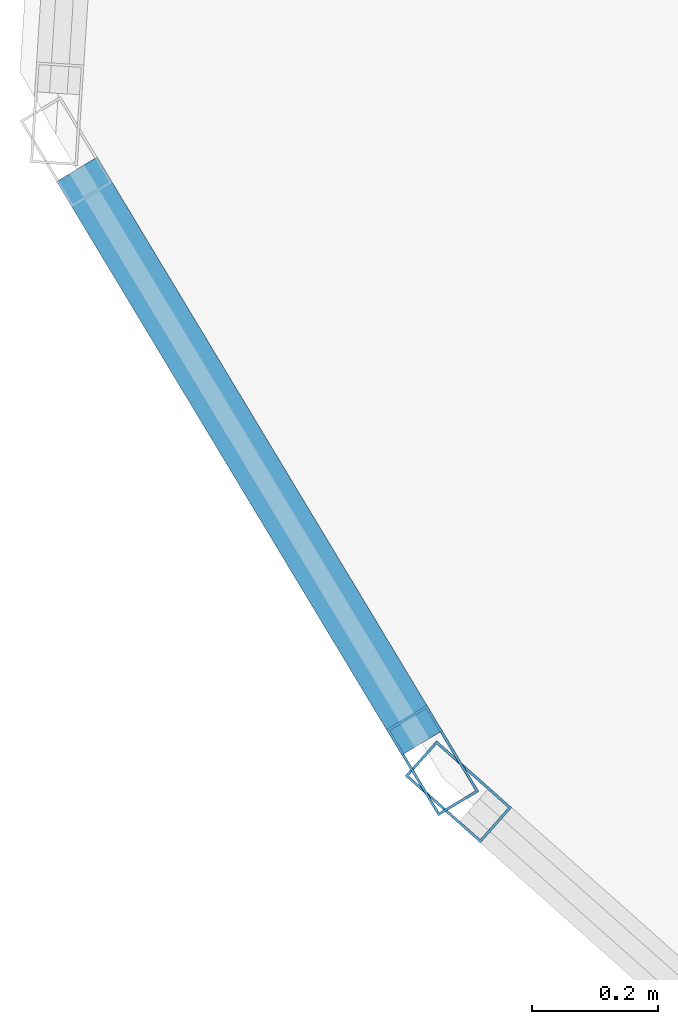
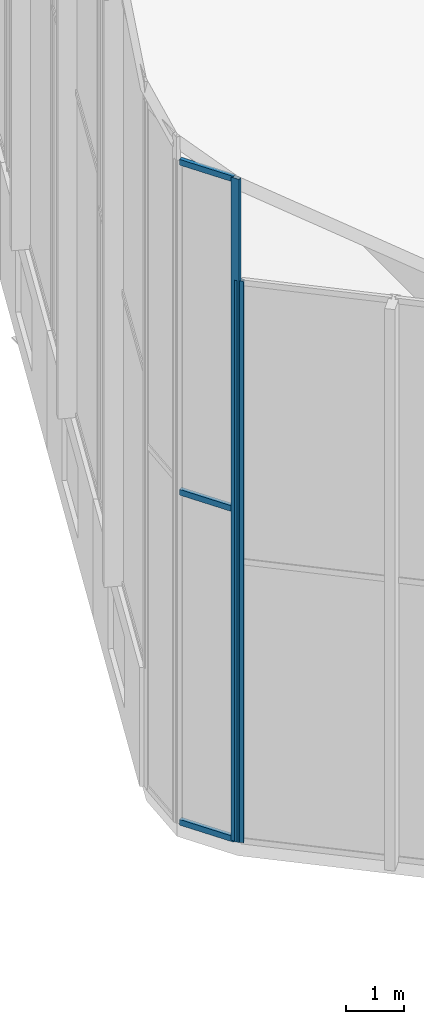
# One storey, part 6 of 74: 5 members, 2 elements without a shape of their own.
"""IFC4 building model written with IfcOpenShell, lengths in metres."""

from ifc_helpers import new_model, si_unit, direction, frame, origin, origin_2d, place, context, subcontext, project, spatial, hollow_rectangle, extrude, material, layer, layer_set, material_profile, profile_set, type_object, element, aggregate, save


model = new_model("IFC4")

# Units and contexts
model_context = context("Model", 3, precision=1e-05, world=origin(), true_north=direction((0.0, 1.0)))
body_context = subcontext(model_context, "Body", "Model", "MODEL_VIEW")
ifc_project = project(units=[si_unit("LENGTHUNIT", "METRE"), si_unit("AREAUNIT", "SQUARE_METRE"), si_unit("VOLUMEUNIT", "CUBIC_METRE"), si_unit("PLANEANGLEUNIT", "RADIAN"), si_unit("MASSUNIT", "GRAM", prefix="KILO")], contexts=[model_context])

# Site, building, storey
site_placement = place(None, origin())
site = spatial("IfcSite", under=ifc_project, at=site_placement, CompositionType="ELEMENT")
building_placement = place(site_placement, origin())
building = spatial("IfcBuilding", under=site, at=building_placement, Name="Keshet Zoharim Tower", CompositionType="ELEMENT")
storey_placement = place(building_placement, frame((0.0, 0.0, 320.0)))
storey = spatial("IfcBuildingStorey", under=building, at=storey_placement, Name="RF", CompositionType="ELEMENT", Elevation=320.0)

# Curtain wall, member
ifc_material = material(Name="Aluminium 6063-T6", Category="aluminium")
ifc_layer = layer(ifc_material, 0.260009765625)
ifc_layer_set = layer_set([ifc_layer], Name="Aluminium 6063-T6")
curtain_wall_type = type_object("IfcCurtainWallType", Name="CW-SYS-06", PredefinedType="NOTDEFINED", material=ifc_layer_set)
curtain_wall_1_placement = place(storey_placement, origin())
curtain_wall_1 = element("IfcCurtainWall", 1, at=curtain_wall_1_placement, inside=storey, type_object=curtain_wall_type, Name="Slanted Crown Curtain Wall 01", PredefinedType="NOTDEFINED")
ifc_material_profile_1 = material_profile(ifc_material, hollow_rectangle(XDim=0.074951171875, YDim=0.159912109375, WallThickness=0.00390625, at=origin_2d()), Name="MUL-75x160")
ifc_profile_set_1 = profile_set([ifc_material_profile_1], Name="Aluminium 6063-T6")
member_type_1 = type_object("IfcMemberType", Name="CWM-M15", PredefinedType="MULLION", material=ifc_profile_set_1)
member_1_placement = place(storey_placement, frame((4.018310546875, 21.807861328125, 0.0), z_axis=(0.0, 0.0, 1.0), x_axis=(-0.856826433805, -0.515604947933, 0.0)))
member_1 = element("IfcMember", 2, at=member_1_placement, type_object=member_type_1, Name="CW-06 mullion 1", PredefinedType="MULLION", context=body_context, shape_type="SweptSolid", body=[
    extrude(hollow_rectangle(XDim=0.074951171875, YDim=0.159912109375, WallThickness=0.00390625, at=origin_2d()), origin(), (0.0, 0.0, 1.0), 13.927978515625),
])

curtain_wall_2_placement = place(storey_placement, origin())
curtain_wall_2 = element("IfcCurtainWall", 3, at=curtain_wall_2_placement, inside=storey, type_object=curtain_wall_type, Name="Slanted Crown Curtain Wall 36", PredefinedType="NOTDEFINED")
member_2_placement = place(storey_placement, frame((4.059326171875, 21.75830078125, 0.0), z_axis=(0.0, 0.0, 1.0), x_axis=(-0.664409105651, -0.747369079055, 0.0)))
member_2 = element("IfcMember", 4, at=member_2_placement, type_object=member_type_1, Name="CW-06 mullion 3", PredefinedType="MULLION", context=body_context, shape_type="SweptSolid", body=[
    extrude(hollow_rectangle(XDim=0.074951171875, YDim=0.159912109375, WallThickness=0.00390625, at=origin_2d()), origin(), (0.0, 0.0, 1.0), 11.79296875),
])
aggregate(curtain_wall_2, [member_2])

# Member
ifc_material_profile_2 = material_profile(ifc_material, hollow_rectangle(XDim=0.074951171875, YDim=0.1201171875, WallThickness=0.00390625, at=origin_2d()), Name="TRN-75x120")
ifc_profile_set_2 = profile_set([ifc_material_profile_2], Name="Aluminium 6063-T6")
member_type_2 = type_object("IfcMemberType", Name="CWT-T12", PredefinedType="USERDEFINED", material=ifc_profile_set_2)
member_3_placement = place(storey_placement, frame((4.00146484375, 21.835693359375, 0.032470703125), z_axis=(-0.515508900501, 0.856884224096, 0.0), x_axis=(-0.856884224096, -0.515508900501, 0.0)))
member_3 = element("IfcMember", 5, at=member_3_placement, type_object=member_type_2, Name="CW-06 transom 1.1", ObjectType="TRANSOM", PredefinedType="USERDEFINED", context=body_context, shape_type="SweptSolid", body=[
    extrude(hollow_rectangle(XDim=0.074951171875, YDim=0.1201171875, WallThickness=0.00390625, at=origin_2d()), origin(), (0.0, 0.0, 1.0), 1.062744140625),
])

member_4_placement = place(storey_placement, frame((4.00146484375, 21.835693359375, 6.964111328125), z_axis=(-0.515508900501, 0.856884224096, 0.0), x_axis=(-0.856884224096, -0.515508900501, 0.0)))
member_4 = element("IfcMember", 6, at=member_4_placement, type_object=member_type_2, Name="CW-06 transom 1.2", ObjectType="TRANSOM", PredefinedType="USERDEFINED", context=body_context, shape_type="SweptSolid", body=[
    extrude(hollow_rectangle(XDim=0.074951171875, YDim=0.1201171875, WallThickness=0.00390625, at=origin_2d()), origin(), (0.0, 0.0, 1.0), 1.062744140625),
])

member_5_placement = place(storey_placement, frame((4.00146484375, 21.835693359375, 13.8955078125), z_axis=(-0.515508900501, 0.856884224096, 0.0), x_axis=(-0.856884224096, -0.515508900501, 0.0)))
member_5 = element("IfcMember", 7, at=member_5_placement, type_object=member_type_2, Name="CW-06 transom 1.3", ObjectType="TRANSOM", PredefinedType="USERDEFINED", context=body_context, shape_type="SweptSolid", body=[
    extrude(hollow_rectangle(XDim=0.074951171875, YDim=0.1201171875, WallThickness=0.00390625, at=origin_2d()), origin(), (0.0, 0.0, 1.0), 1.062744140625),
])

aggregate(curtain_wall_1, [member_1, member_3, member_4, member_5])

save(model, "model.ifc")
